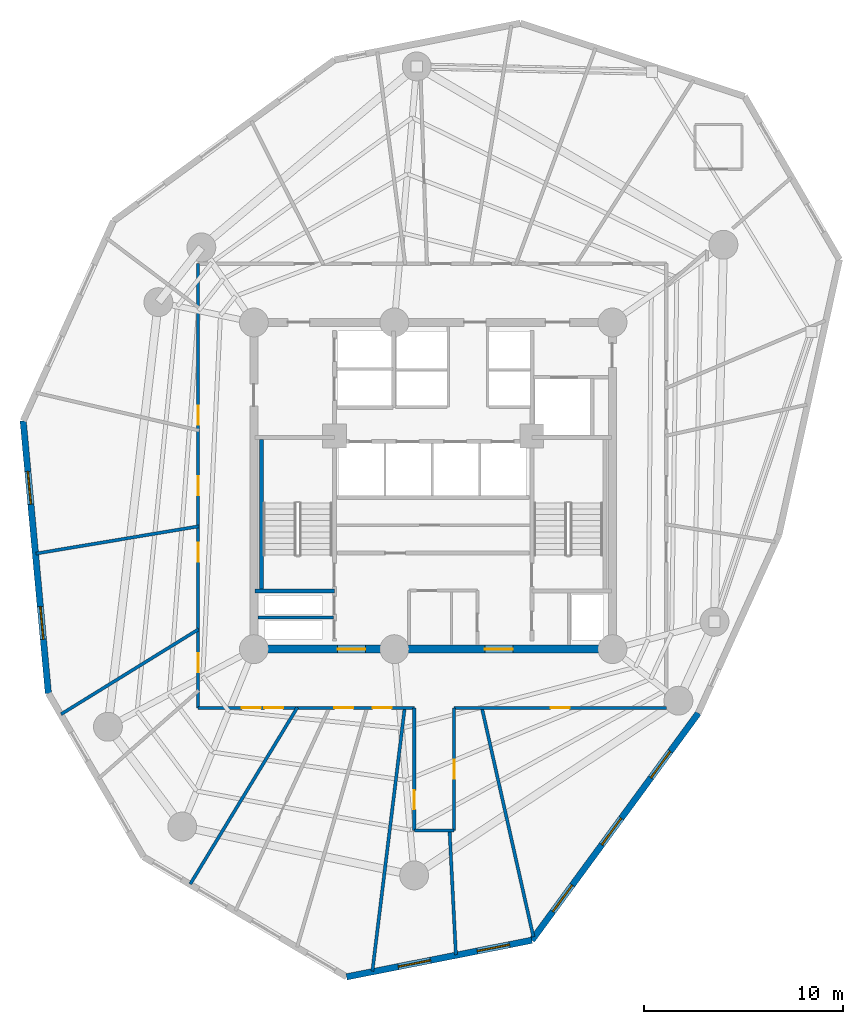
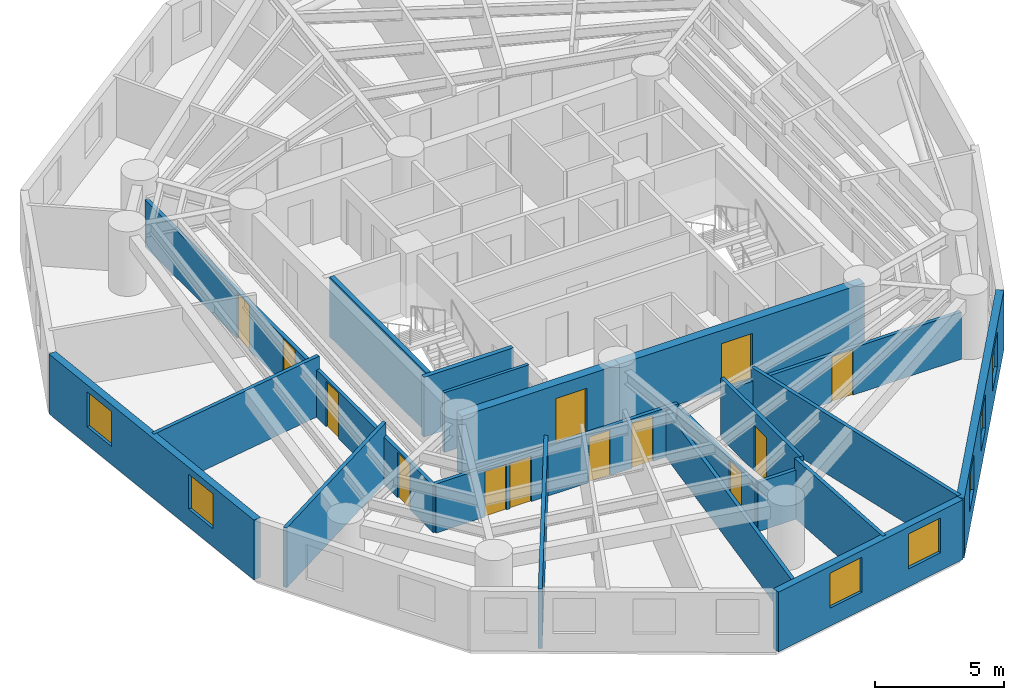
# One storey, part 3 of 8: 20 walls, 13 doors, 7 windows, 20 openings.
"""IFC4 building model written with IfcOpenShell, lengths in metres."""

import ifcopenshell
import ifcopenshell.guid

model = None  # the IFC model being written
_history = None  # IfcOwnerHistory: only IFC2X3 demands one
_inside = {}  # id of a spatial element -> (the spatial element, [elements in it])
_under = {}  # id of a project, library or spatial element -> (it, [spatial elements below it])
_declared = {}  # id of a project -> (the project, [libraries it declares])
_typed = {}  # id of a type object -> (the type object, [elements of that type])
_made_of = {}  # id of a material, layer set ... -> (it, [elements and type objects made of it])


def new_model(schema):
    """Start an empty IFC model of exactly this schema.

    Asked for "IFC4X3", IfcOpenShell would pick the latest addendum, in which some entities
    have other attributes; the version numbers below select the first issue.
    IFC2X3 requires an IfcOwnerHistory on every rooted entity: one is made here for all.
    """
    global model, _history
    if schema == "IFC4X3":
        model = ifcopenshell.file(schema_version=(4, 3, 0, 0))
    else:
        model = ifcopenshell.file(schema=schema)
    _inside.clear()
    _under.clear()
    _declared.clear()
    _typed.clear()
    _made_of.clear()
    _history = None
    if model.schema == "IFC2X3":
        org = make("IfcOrganization", Name="unknown")
        user = make(
            "IfcPersonAndOrganization",
            ThePerson=make("IfcPerson", FamilyName="unknown"),
            TheOrganization=org,
        )
        app = make(
            "IfcApplication",
            ApplicationDeveloper=org,
            Version="unknown",
            ApplicationFullName="unknown",
            ApplicationIdentifier="unknown",
        )
        _history = make(
            "IfcOwnerHistory",
            OwningUser=user,
            OwningApplication=app,
            ChangeAction="ADDED",
            CreationDate=0,
        )
    return model


def make(cls, **values):
    """One entity of the class cls with the attributes given. An attribute that is None is left unset."""
    return model.create_entity(
        cls, **{name: value for name, value in values.items() if value is not None}
    )


def rooted(cls, **values):
    """An entity with a GlobalId (a new one), such as an element, a storey or a relation."""
    return make(cls, GlobalId=ifcopenshell.guid.new(), OwnerHistory=_history, **values)


def si_unit(unit_type, name, prefix=None):
    """IfcSIUnit, for example si_unit("LENGTHUNIT", "METRE", prefix="MILLI")."""
    return make("IfcSIUnit", UnitType=unit_type, Prefix=prefix, Name=name)


def assignment(units):
    """IfcUnitAssignment: the units of a project."""
    return None if units is None else make("IfcUnitAssignment", Units=units)


def point(xyz):
    """IfcCartesianPoint."""
    return None if xyz is None else make("IfcCartesianPoint", Coordinates=xyz)


def direction(xyz):
    """IfcDirection."""
    return None if xyz is None else make("IfcDirection", DirectionRatios=xyz)


def frame(location, z_axis=None, x_axis=None):
    """IfcAxis2Placement3D, a coordinate frame: its origin and axes. An axis left out is left unset."""
    return make(
        "IfcAxis2Placement3D",
        Location=point(location),
        Axis=direction(z_axis),
        RefDirection=direction(x_axis),
    )


def frame_2d(location, x_axis=None):
    """IfcAxis2Placement2D, a coordinate frame in the plane: its origin and x axis."""
    return make(
        "IfcAxis2Placement2D", Location=point(location), RefDirection=direction(x_axis)
    )


def origin():
    """The frame at (0, 0, 0) with its axes left unset."""
    return frame((0.0, 0.0, 0.0))


def origin_with_axes():
    """The frame at (0, 0, 0) with the z axis (0, 0, 1) and the x axis (1, 0, 0) written out."""
    return frame((0.0, 0.0, 0.0), z_axis=(0.0, 0.0, 1.0), x_axis=(1.0, 0.0, 0.0))


def place(relative_to, where):
    """IfcLocalPlacement: puts the frame where relative to a parent placement (None: the world)."""
    return make(
        "IfcLocalPlacement", PlacementRelTo=relative_to, RelativePlacement=where
    )


def context(
    kind, dimensions, precision=None, world=None, true_north=None, identifier=None
):
    """IfcGeometricRepresentationContext, for example the 3D "Model" context."""
    return make(
        "IfcGeometricRepresentationContext",
        ContextIdentifier=identifier,
        ContextType=kind,
        CoordinateSpaceDimension=dimensions,
        Precision=precision,
        WorldCoordinateSystem=world,
        TrueNorth=true_north,
    )


def subcontext(parent, identifier, kind, view, scale=None):
    """IfcGeometricRepresentationSubContext, for example "Body" below "Model"."""
    return make(
        "IfcGeometricRepresentationSubContext",
        ContextIdentifier=identifier,
        ContextType=kind,
        ParentContext=parent,
        TargetScale=scale,
        TargetView=view,
    )


def project(units=None, contexts=None):
    """IfcProject with its units and contexts."""
    return rooted(
        "IfcProject",
        Name="project",
        RepresentationContexts=contexts,
        UnitsInContext=assignment(units),
    )


def spatial(cls, under=None, at=None, **own):
    """A site, building, storey or space (cls), placed at a placement, below another one or the project."""
    s = rooted(cls, ObjectPlacement=at, **own)
    if under is not None:
        _under.setdefault(under.id(), (under, []))[1].append(s)
    return s


def profile(cls, at=None, kind="AREA", **sizes):
    """A parametric profile (cls). Its sizes go by their IFC names, for example OverallWidth=200.0."""
    return make(cls, ProfileType=kind, Position=at, **sizes)


def rectangle(**sizes):
    """IfcRectangleProfileDef."""
    return profile("IfcRectangleProfileDef", **sizes)


def extrude(swept, where, along, depth):
    """IfcExtrudedAreaSolid: the profile swept, set in the frame where, extruded along a direction by depth."""
    return make(
        "IfcExtrudedAreaSolid",
        SweptArea=swept,
        Position=where,
        ExtrudedDirection=direction(along),
        Depth=depth,
    )


def shape(context_of_items, identifier, shape_type, items):
    """IfcShapeRepresentation: the items that make up one representation, for example the "Body"."""
    return make(
        "IfcShapeRepresentation",
        ContextOfItems=context_of_items,
        RepresentationIdentifier=identifier,
        RepresentationType=shape_type,
        Items=items,
    )


def source(mapping_origin, context_of_items, identifier, shape_type, items):
    """IfcRepresentationMap: a shape defined once, which mapped items show again and again."""
    return make(
        "IfcRepresentationMap",
        MappingOrigin=mapping_origin,
        MappedRepresentation=shape(context_of_items, identifier, shape_type, items),
    )


def transform(
    local_origin,
    x_axis=None,
    y_axis=None,
    z_axis=None,
    scale=None,
    scale2=None,
    scale3=None,
    uniform=True,
):
    """IfcCartesianTransformationOperator3D, or its non-uniform kind. x_axis, y_axis, z_axis: its Axis1, 2, 3."""
    if uniform:
        return make(
            "IfcCartesianTransformationOperator3D",
            Axis1=direction(x_axis),
            Axis2=direction(y_axis),
            LocalOrigin=point(local_origin),
            Scale=scale,
            Axis3=direction(z_axis),
        )
    return make(
        "IfcCartesianTransformationOperator3DnonUniform",
        Axis1=direction(x_axis),
        Axis2=direction(y_axis),
        LocalOrigin=point(local_origin),
        Scale=scale,
        Axis3=direction(z_axis),
        Scale2=scale2,
        Scale3=scale3,
    )


def mapped(mapping_source, mapping_target):
    """IfcMappedItem: shows the shape of a source again, moved by a transform."""
    return make(
        "IfcMappedItem", MappingSource=mapping_source, MappingTarget=mapping_target
    )


def material(Name=None, Category=None):
    """IfcMaterial."""
    return make("IfcMaterial", Name=Name, Category=Category)


def layer(
    of_material, thickness, ventilated=None, Name=None, Category=None, Priority=None
):
    """IfcMaterialLayer: one layer of a wall or slab, of a material (None: an air gap)."""
    return make(
        "IfcMaterialLayer",
        Material=of_material,
        LayerThickness=thickness,
        IsVentilated=ventilated,
        Name=Name,
        Category=Category,
        Priority=Priority,
    )


def layer_set(layers, Name=None):
    """IfcMaterialLayerSet."""
    return make("IfcMaterialLayerSet", MaterialLayers=layers, LayerSetName=Name)


def made_of(thing, what):
    """Note that an element or type object is made of a material, layer set ...; save() writes the relation."""
    if what is not None:
        _made_of.setdefault(what.id(), (what, []))[1].append(thing)
    return thing


def type_object(cls, material=None, **own):
    """A type object (cls), such as IfcWallType, which elements share."""
    return made_of(rooted(cls, **own), material)


def element(
    cls,
    number,
    at=None,
    inside=None,
    cuts=None,
    type_object=None,
    material=None,
    context=None,
    identifier="Body",
    shape_type=None,
    held_by="IfcProductDefinitionShape",
    body=None,
    shapes=None,
    **own,
):
    """One element of the class cls, such as IfcWall. Its Tag is "e" and its number.

    at: its placement. inside: the storey or other place that contains it. cuts: it is an
    opening in that element (IfcRelVoidsElement). A single representation is given by context,
    identifier, shape_type and body (its items); several are given by shapes. held_by: the class
    of the entity that holds the representations. save() writes the other relations.
    """
    e = rooted(cls, Tag="e%d" % number, ObjectPlacement=at, **own)
    if body is not None:
        shapes = [shape(context, identifier, shape_type, body)]
    if shapes is not None:
        e.Representation = make(held_by, Representations=shapes)
    if inside is not None:
        _inside.setdefault(inside.id(), (inside, []))[1].append(e)
    if cuts is not None:
        rooted(
            "IfcRelVoidsElement", RelatingBuildingElement=cuts, RelatedOpeningElement=e
        )
    if type_object is not None:
        _typed.setdefault(type_object.id(), (type_object, []))[1].append(e)
    return made_of(e, material)


def fill(opening, filler):
    """IfcRelFillsElement: the door or window that sits in an opening."""
    return rooted(
        "IfcRelFillsElement",
        RelatingOpeningElement=opening,
        RelatedBuildingElement=filler,
    )


def aggregate(whole, parts):
    """IfcRelAggregates: a whole, such as a stair, and the parts it consists of."""
    return rooted("IfcRelAggregates", RelatingObject=whole, RelatedObjects=parts)


def save(model, path):
    """Write the relations noted so far, then the file.

    IfcRelAggregates (storeys below a building ...), IfcRelContainedInSpatialStructure (elements
    in a storey), IfcRelDefinesByType, IfcRelAssociatesMaterial and IfcRelDeclares: one each for
    every whole, place, type object, material and project.
    """
    for whole, parts in _under.values():
        aggregate(whole, parts)
    for where, things in _inside.values():
        rooted(
            "IfcRelContainedInSpatialStructure",
            RelatedElements=things,
            RelatingStructure=where,
        )
    for kind, things in _typed.values():
        rooted("IfcRelDefinesByType", RelatedObjects=things, RelatingType=kind)
    for what, things in _made_of.values():
        rooted("IfcRelAssociatesMaterial", RelatedObjects=things, RelatingMaterial=what)
    for by, libraries in _declared.values():
        rooted("IfcRelDeclares", RelatingContext=by, RelatedDefinitions=libraries)
    model.write(path)


model = new_model("IFC4")

# Units and contexts
model_context = context("Model", 3, precision=1e-05, world=origin(), true_north=direction((0.0, 1.0)))
body_context = subcontext(model_context, "Body", "Model", "MODEL_VIEW")
ifc_project = project(units=[si_unit("LENGTHUNIT", "METRE"), si_unit("AREAUNIT", "SQUARE_METRE"), si_unit("VOLUMEUNIT", "CUBIC_METRE"), si_unit("PLANEANGLEUNIT", "RADIAN"), si_unit("MASSUNIT", "GRAM", prefix="KILO")], contexts=[model_context])

# Site, building, storey
site_placement = place(None, origin())
site = spatial("IfcSite", under=ifc_project, at=site_placement, CompositionType="ELEMENT")
building_placement = place(site_placement, origin())
building = spatial("IfcBuilding", under=site, at=building_placement, Name="Karkom Vertical University and Central Library", CompositionType="ELEMENT")
storey_placement = place(building_placement, frame((0.0, 0.0, 126.699951171875)))
storey = spatial("IfcBuildingStorey", under=building, at=storey_placement, Name="L35", CompositionType="ELEMENT", Elevation=126.699951171875)

# Wall, openings, windows
ifc_material_1 = material(Name="Brick-faced precast concrete C45/55", Category="masonry")
ifc_layer_1 = layer(ifc_material_1, 0.320068359375)
ifc_layer_set_1 = layer_set([ifc_layer_1], Name="Brick-faced precast concrete C45/55")
wall_type_1 = type_object("IfcWallType", Name="ENV-WL-BRK-320", PredefinedType="SOLIDWALL", material=ifc_layer_set_1)
wall_1_placement = place(storey_placement, frame((7.9189453125, 29.76123046875, 0.0), z_axis=(0.0, 0.0, 1.0), x_axis=(0.092049751745, -0.995754409081, 0.0)))
wall_1 = element("IfcWall", 1, at=wall_1_placement, inside=storey, type_object=wall_type_1, Name="Level 35 Brick-Faced Precast Facade Wall 02", PredefinedType="SOLIDWALL", context=body_context, shape_type="SweptSolid", body=[
    extrude(rectangle(XDim=13.73876953125, YDim=0.320068359375, at=frame_2d((6.869384765625, 0.0))), origin(), (0.0, 0.0, 1.0), 2.824951171875),
])
opening_1_placement = place(wall_1_placement, frame((2.55126953125, 0.0, 0.85009765625)))
opening_1 = element("IfcOpeningElement", 2, at=opening_1_placement, cuts=wall_1, Name="Opening WN-06", PredefinedType="OPENING", context=body_context, shape_type="SweptSolid", body=[
    extrude(rectangle(XDim=1.64990234375, YDim=1.64990234375, at=frame_2d((0.824951171875, 0.824951171875))), frame((0.0, 0.169921875, 0.0), z_axis=(0.0, -1.0, 0.0), x_axis=(1.0, 0.0, 0.0)), (0.0, 0.0, 1.0), 0.340087890625),
])
opening_2_placement = place(wall_1_placement, frame((9.360595703125, 0.0, 0.85009765625)))
opening_2 = element("IfcOpeningElement", 3, at=opening_2_placement, cuts=wall_1, Name="Opening WN-06", PredefinedType="OPENING", context=body_context, shape_type="SweptSolid", body=[
    extrude(rectangle(XDim=1.64990234375, YDim=1.64990234375, at=frame_2d((0.824951171875, 0.824951171875))), frame((0.0, 0.169921875, 0.0), z_axis=(0.0, -1.0, 0.0), x_axis=(1.0, 0.0, 0.0)), (0.0, 0.0, 1.0), 0.340087890625),
])
ifc_material_2 = material(Name="Aluminium thermal-break frame with solar-control IGU", Category="aluminium")
window_type = type_object("IfcWindowType", Name="ENV-WIN-WN-06", PartitioningType="SINGLE_PANEL", PredefinedType="WINDOW", material=ifc_material_2)
shared_shape_1 = source(origin_with_axes(), body_context, "Body", "SweptSolid", [
    extrude(rectangle(XDim=1.64990234375, YDim=1.64990234375, at=frame_2d((0.824951171875, 0.824951171875))), frame((0.0, 0.030029296875, 0.0), z_axis=(0.0, -1.0, 0.0), x_axis=(1.0, 0.0, 0.0)), (0.0, 0.0, 1.0), 0.06005859375),
])
window_1_placement = place(opening_1_placement, origin())
window_1 = element("IfcWindow", 4, at=window_1_placement, inside=storey, type_object=window_type, Name="Level 35 Punched Window 2.1", OverallHeight=1.64990234375, OverallWidth=1.64990234375, PartitioningType="SINGLE_PANEL", PredefinedType="WINDOW", context=body_context, shape_type="MappedRepresentation", body=[
    mapped(shared_shape_1, transform((0.0, 0.0, 0.0), scale=1.0)),
])
fill(opening_1, window_1)
window_2_placement = place(opening_2_placement, origin())
window_2 = element("IfcWindow", 5, at=window_2_placement, inside=storey, type_object=window_type, Name="Level 35 Punched Window 2.2", OverallHeight=1.64990234375, OverallWidth=1.64990234375, PartitioningType="SINGLE_PANEL", PredefinedType="WINDOW", context=body_context, shape_type="MappedRepresentation", body=[
    mapped(shared_shape_1, transform((0.0, 0.0, 0.0), scale=1.0)),
])
fill(opening_2, window_2)

wall_2_placement = place(storey_placement, frame((24.15283203125, 1.85009765625, 0.0), z_axis=(0.0, 0.0, 1.0), x_axis=(0.981037636035, 0.19381732813, 0.0)))
wall_2 = element("IfcWall", 6, at=wall_2_placement, inside=storey, type_object=wall_type_1, Name="Level 35 Brick-Faced Precast Facade Wall 05", PredefinedType="SOLIDWALL", context=body_context, shape_type="SweptSolid", body=[
    extrude(rectangle(XDim=9.478759765625, YDim=0.320068359375, at=frame_2d((4.7392578125, 0.0))), origin(), (0.0, 0.0, 1.0), 2.824951171875),
])
opening_3_placement = place(wall_2_placement, frame((2.645263671875, 0.0, 0.85009765625)))
opening_3 = element("IfcOpeningElement", 7, at=opening_3_placement, cuts=wall_2, Name="Opening WN-06", PredefinedType="OPENING", context=body_context, shape_type="SweptSolid", body=[
    extrude(rectangle(XDim=1.64990234375, YDim=1.64990234375, at=frame_2d((0.824951171875, 0.824951171875))), frame((0.0, 0.169921875, 0.0), z_axis=(0.0, -1.0, 0.0), x_axis=(1.0, 0.0, 0.0)), (0.0, 0.0, 1.0), 0.340087890625),
])
opening_4_placement = place(wall_2_placement, frame((6.686279296875, 0.0, 0.85009765625)))
opening_4 = element("IfcOpeningElement", 8, at=opening_4_placement, cuts=wall_2, Name="Opening WN-06", PredefinedType="OPENING", context=body_context, shape_type="SweptSolid", body=[
    extrude(rectangle(XDim=1.64990234375, YDim=1.64990234375, at=frame_2d((0.824951171875, 0.824951171875))), frame((0.0, 0.169921875, 0.0), z_axis=(0.0, -1.0, 0.0), x_axis=(1.0, 0.0, 0.0)), (0.0, 0.0, 1.0), 0.340087890625),
])
window_3_placement = place(opening_3_placement, origin())
window_3 = element("IfcWindow", 9, at=window_3_placement, inside=storey, type_object=window_type, Name="Level 35 Punched Window 5.1", OverallHeight=1.64990234375, OverallWidth=1.64990234375, PartitioningType="SINGLE_PANEL", PredefinedType="WINDOW", context=body_context, shape_type="MappedRepresentation", body=[
    mapped(shared_shape_1, transform((0.0, 0.0, 0.0), scale=1.0)),
])
fill(opening_3, window_3)
window_4_placement = place(opening_4_placement, origin())
window_4 = element("IfcWindow", 10, at=window_4_placement, inside=storey, type_object=window_type, Name="Level 35 Punched Window 5.2", OverallHeight=1.64990234375, OverallWidth=1.64990234375, PartitioningType="SINGLE_PANEL", PredefinedType="WINDOW", context=body_context, shape_type="MappedRepresentation", body=[
    mapped(shared_shape_1, transform((0.0, 0.0, 0.0), scale=1.0)),
])
fill(opening_4, window_4)

wall_3_placement = place(storey_placement, frame((33.451904296875, 3.687255859375, 0.0), z_axis=(0.0, 0.0, 1.0), x_axis=(0.5911787596, 0.806540559549, 0.0)))
wall_3 = element("IfcWall", 11, at=wall_3_placement, inside=storey, type_object=wall_type_1, Name="Level 35 Brick-Faced Precast Facade Wall 06", PredefinedType="SOLIDWALL", context=body_context, shape_type="SweptSolid", body=[
    extrude(rectangle(XDim=14.1396484375, YDim=0.320068359375, at=frame_2d((7.06982421875, 0.0))), origin(), (0.0, 0.0, 1.0), 2.824951171875),
])
opening_5_placement = place(wall_3_placement, frame((1.785400390625, 0.0, 0.85009765625)))
opening_5 = element("IfcOpeningElement", 12, at=opening_5_placement, cuts=wall_3, Name="Opening WN-06", PredefinedType="OPENING", context=body_context, shape_type="SweptSolid", body=[
    extrude(rectangle(XDim=1.64990234375, YDim=1.64990234375, at=frame_2d((0.824951171875, 0.824951171875))), frame((0.0, 0.169921875, 0.0), z_axis=(0.0, -1.0, 0.0), x_axis=(1.0, 0.0, 0.0)), (0.0, 0.0, 1.0), 0.340087890625),
])
opening_6_placement = place(wall_3_placement, frame((5.94921875, 0.0, 0.85009765625)))
opening_6 = element("IfcOpeningElement", 13, at=opening_6_placement, cuts=wall_3, Name="Opening WN-06", PredefinedType="OPENING", context=body_context, shape_type="SweptSolid", body=[
    extrude(rectangle(XDim=1.64990234375, YDim=1.64990234375, at=frame_2d((0.824951171875, 0.824951171875))), frame((0.0, 0.169921875, 0.0), z_axis=(0.0, -1.0, 0.0), x_axis=(1.0, 0.0, 0.0)), (0.0, 0.0, 1.0), 0.340087890625),
])
opening_7_placement = place(wall_3_placement, frame((10.113037109375, 0.0, 0.85009765625)))
opening_7 = element("IfcOpeningElement", 14, at=opening_7_placement, cuts=wall_3, Name="Opening WN-06", PredefinedType="OPENING", context=body_context, shape_type="SweptSolid", body=[
    extrude(rectangle(XDim=1.64990234375, YDim=1.64990234375, at=frame_2d((0.824951171875, 0.824951171875))), frame((0.0, 0.169921875, 0.0), z_axis=(0.0, -1.0, 0.0), x_axis=(1.0, 0.0, 0.0)), (0.0, 0.0, 1.0), 0.340087890625),
])
window_5_placement = place(opening_5_placement, origin())
window_5 = element("IfcWindow", 15, at=window_5_placement, inside=storey, type_object=window_type, Name="Level 35 Punched Window 6.1", OverallHeight=1.64990234375, OverallWidth=1.64990234375, PartitioningType="SINGLE_PANEL", PredefinedType="WINDOW", context=body_context, shape_type="MappedRepresentation", body=[
    mapped(shared_shape_1, transform((0.0, 0.0, 0.0), scale=1.0)),
])
fill(opening_5, window_5)
window_6_placement = place(opening_6_placement, origin())
window_6 = element("IfcWindow", 16, at=window_6_placement, inside=storey, type_object=window_type, Name="Level 35 Punched Window 6.2", OverallHeight=1.64990234375, OverallWidth=1.64990234375, PartitioningType="SINGLE_PANEL", PredefinedType="WINDOW", context=body_context, shape_type="MappedRepresentation", body=[
    mapped(shared_shape_1, transform((0.0, 0.0, 0.0), scale=1.0)),
])
fill(opening_6, window_6)
window_7_placement = place(opening_7_placement, origin())
window_7 = element("IfcWindow", 17, at=window_7_placement, inside=storey, type_object=window_type, Name="Level 35 Punched Window 6.3", OverallHeight=1.64990234375, OverallWidth=1.64990234375, PartitioningType="SINGLE_PANEL", PredefinedType="WINDOW", context=body_context, shape_type="MappedRepresentation", body=[
    mapped(shared_shape_1, transform((0.0, 0.0, 0.0), scale=1.0)),
])
fill(opening_7, window_7)

# Wall, openings, doors
ifc_material_3 = material(Name="Insulated metal-stud drywall 160mm", Category="gypsum")
ifc_layer_2 = layer(ifc_material_3, 0.159912109375)
ifc_layer_set_2 = layer_set([ifc_layer_2], Name="Insulated metal-stud drywall 160mm")
wall_type_2 = type_object("IfcWallType", Name="INT-WL-COR-160", PredefinedType="PARTITIONING", material=ifc_layer_set_2)
wall_4_placement = place(storey_placement, frame((16.699951171875, 15.35009765625, 0.0), z_axis=(0.0, 0.0, 1.0), x_axis=(0.0, 1.0, 0.0)))
wall_4 = element("IfcWall", 18, at=wall_4_placement, inside=storey, type_object=wall_type_2, Name="Level 35 Interior Partition Wall L35-CORW-CW-002", PredefinedType="PARTITIONING", context=body_context, shape_type="SweptSolid", body=[
    extrude(rectangle(XDim=22.2998046875, YDim=0.159912109375, at=frame_2d((11.14990234375, 0.0))), origin(), (0.0, 0.0, 1.0), 2.22509765625),
])
opening_8_placement = place(wall_4_placement, frame((7.330078125, 0.0, 0.0)))
opening_8 = element("IfcOpeningElement", 19, at=opening_8_placement, cuts=wall_4, Name="Opening D-RM1", PredefinedType="OPENING", context=body_context, shape_type="SweptSolid", body=[
    extrude(rectangle(XDim=0.949951171875, YDim=2.14990234375, at=frame_2d((0.47509765625, 1.074951171875))), frame((0.0, 0.08984375, 0.0), z_axis=(0.0, -1.0, 0.0), x_axis=(1.0, 0.0, 0.0)), (0.0, 0.0, 1.0), 0.179931640625),
])
opening_9_placement = place(wall_4_placement, frame((1.78662109375, 0.0, 0.0)))
opening_9 = element("IfcOpeningElement", 20, at=opening_9_placement, cuts=wall_4, Name="Opening FD-RM2", PredefinedType="OPENING", context=body_context, shape_type="SweptSolid", body=[
    extrude(rectangle(XDim=0.9599609375, YDim=2.14990234375, at=frame_2d((0.47998046875, 1.074951171875))), frame((0.0, 0.08984375, 0.0), z_axis=(0.0, -1.0, 0.0), x_axis=(1.0, 0.0, 0.0)), (0.0, 0.0, 1.0), 0.179931640625),
])
opening_10_placement = place(wall_4_placement, frame((14.2099609375, 0.0, 0.0)))
opening_10 = element("IfcOpeningElement", 21, at=opening_10_placement, cuts=wall_4, Name="Opening D-RM1", PredefinedType="OPENING", context=body_context, shape_type="SweptSolid", body=[
    extrude(rectangle(XDim=0.949951171875, YDim=2.14990234375, at=frame_2d((0.47509765625, 1.074951171875))), frame((0.0, 0.08984375, 0.0), z_axis=(0.0, -1.0, 0.0), x_axis=(1.0, 0.0, 0.0)), (0.0, 0.0, 1.0), 0.179931640625),
])
opening_11_placement = place(wall_4_placement, frame((10.675048828125, 0.0, 0.0)))
opening_11 = element("IfcOpeningElement", 22, at=opening_11_placement, cuts=wall_4, Name="Opening D-RM1", PredefinedType="OPENING", context=body_context, shape_type="SweptSolid", body=[
    extrude(rectangle(XDim=0.949951171875, YDim=2.14990234375, at=frame_2d((0.47509765625, 1.074951171875))), frame((0.0, 0.08984375, 0.0), z_axis=(0.0, -1.0, 0.0), x_axis=(1.0, 0.0, 0.0)), (0.0, 0.0, 1.0), 0.179931640625),
])
ifc_material_4 = material(Name="Fire-rated oak veneer door", Category="wood")
door_type_1 = type_object("IfcDoorType", Name="INT-DR-FRM2", OperationType="NOTDEFINED", PredefinedType="DOOR", material=ifc_material_4)
shared_shape_2 = source(origin_with_axes(), body_context, "Body", "SweptSolid", [
    extrude(rectangle(XDim=0.9599609375, YDim=2.14990234375, at=frame_2d((0.47998046875, 1.074951171875))), frame((0.0, 0.02490234375, 0.0), z_axis=(0.0, -1.0, 0.0), x_axis=(1.0, 0.0, 0.0)), (0.0, 0.0, 1.0), 0.050048828125),
])
door_1_placement = place(opening_9_placement, origin())
door_1 = element("IfcDoor", 23, at=door_1_placement, inside=storey, type_object=door_type_1, Name="Level 35 Room Entry Door 010", OperationType="SINGLE_SWING_LEFT", OverallHeight=2.14990234375, OverallWidth=0.9599609375, PredefinedType="DOOR", context=body_context, shape_type="MappedRepresentation", body=[
    mapped(shared_shape_2, transform((0.0, 0.0, 0.0), scale=1.0)),
])
fill(opening_9, door_1)
ifc_material_5 = material(Name="Solid-core oak veneer door", Category="wood")
door_type_2 = type_object("IfcDoorType", Name="INT-DR-RM1", OperationType="NOTDEFINED", PredefinedType="DOOR", material=ifc_material_5)
shared_shape_3 = source(origin_with_axes(), body_context, "Body", "SweptSolid", [
    extrude(rectangle(XDim=0.949951171875, YDim=2.14990234375, at=frame_2d((0.47509765625, 1.074951171875))), frame((0.0, 0.02490234375, 0.0), z_axis=(0.0, -1.0, 0.0), x_axis=(1.0, 0.0, 0.0)), (0.0, 0.0, 1.0), 0.050048828125),
])
door_2_placement = place(opening_8_placement, origin())
door_2 = element("IfcDoor", 24, at=door_2_placement, inside=storey, type_object=door_type_2, Name="Level 35 Room Entry Door 000", OperationType="SINGLE_SWING_RIGHT", OverallHeight=2.14990234375, OverallWidth=0.949951171875, PredefinedType="DOOR", context=body_context, shape_type="MappedRepresentation", body=[
    mapped(shared_shape_3, transform((0.0, 0.0, 0.0), scale=1.0)),
])
fill(opening_8, door_2)
door_3_placement = place(opening_10_placement, origin())
door_3 = element("IfcDoor", 25, at=door_3_placement, inside=storey, type_object=door_type_2, Name="Level 35 Room Entry Door 200", OperationType="SINGLE_SWING_LEFT", OverallHeight=2.14990234375, OverallWidth=0.949951171875, PredefinedType="DOOR", context=body_context, shape_type="MappedRepresentation", body=[
    mapped(shared_shape_3, transform((0.0, 0.0, 0.0), scale=1.0)),
])
fill(opening_10, door_3)
door_4_placement = place(opening_11_placement, origin())
door_4 = element("IfcDoor", 26, at=door_4_placement, inside=storey, type_object=door_type_2, Name="Level 35 Room Entry Door 210", OperationType="SINGLE_SWING_RIGHT", OverallHeight=2.14990234375, OverallWidth=0.949951171875, PredefinedType="DOOR", context=body_context, shape_type="MappedRepresentation", body=[
    mapped(shared_shape_3, transform((0.0, 0.0, 0.0), scale=1.0)),
])
fill(opening_11, door_4)

# Walls
wall_5_placement = place(storey_placement, frame((27.07421875, 15.3798828125, 0.0), z_axis=(0.0, 0.0, 1.0), x_axis=(-0.121863792231, -0.992546833224, 0.0)))
element("IfcWall", 27, at=wall_5_placement, inside=storey, type_object=wall_type_2, Name="Level 35 Interior Partition Wall L35-PW-007", PredefinedType="PARTITIONING", context=body_context, shape_type="SweptSolid", body=[
    extrude(rectangle(XDim=13.344482421875, YDim=0.159912109375, at=frame_2d((6.67236328125, 0.0))), origin(), (0.0, 0.0, 1.0), 2.22509765625),
])
wall_6_placement = place(storey_placement, frame((30.93896484375, 15.37939453125, 0.0), z_axis=(0.0, 0.0, 1.0), x_axis=(0.219373424083, -0.975640969213, 0.0)))
element("IfcWall", 28, at=wall_6_placement, inside=storey, type_object=wall_type_2, Name="Level 35 Interior Partition Wall L35-PW-009", PredefinedType="PARTITIONING", context=body_context, shape_type="SweptSolid", body=[
    extrude(rectangle(XDim=11.8056640625, YDim=0.159912109375, at=frame_2d((5.90283203125, 0.0))), origin(), (0.0, 0.0, 1.0), 2.824951171875),
])

# Wall, openings, doors
wall_7_placement = place(storey_placement, frame((27.550048828125, 15.35009765625, 0.0), z_axis=(0.0, 0.0, 1.0), x_axis=(-1.0, 0.0, 0.0)))
wall_7 = element("IfcWall", 29, at=wall_7_placement, inside=storey, type_object=wall_type_2, Name="Level 35 Interior Partition Wall L35-CORW-CW-001", PredefinedType="PARTITIONING", context=body_context, shape_type="SweptSolid", body=[
    extrude(rectangle(XDim=10.85009765625, YDim=0.159912109375, at=frame_2d((5.425048828125, 0.0))), origin(), (0.0, 0.0, 1.0), 2.324951171875),
])
opening_12_placement = place(wall_7_placement, frame((6.577392578125, 0.0, 0.0)))
opening_12 = element("IfcOpeningElement", 30, at=opening_12_placement, cuts=wall_7, Name="Opening D-RM1", PredefinedType="OPENING", context=body_context, shape_type="SweptSolid", body=[
    extrude(rectangle(XDim=0.949951171875, YDim=2.14990234375, at=frame_2d((0.47509765625, 1.074951171875))), frame((0.0, 0.08984375, 0.0), z_axis=(0.0, -1.0, 0.0), x_axis=(1.0, 0.0, 0.0)), (0.0, 0.0, 1.0), 0.179931640625),
])
opening_13_placement = place(wall_7_placement, frame((3.06005859375, 0.0, 0.0)))
opening_13 = element("IfcOpeningElement", 31, at=opening_13_placement, cuts=wall_7, Name="Opening D-RM1", PredefinedType="OPENING", context=body_context, shape_type="SweptSolid", body=[
    extrude(rectangle(XDim=0.949951171875, YDim=2.14990234375, at=frame_2d((0.47509765625, 1.074951171875))), frame((0.0, 0.08984375, 0.0), z_axis=(0.0, -1.0, 0.0), x_axis=(1.0, 0.0, 0.0)), (0.0, 0.0, 1.0), 0.179931640625),
])
opening_14_placement = place(wall_7_placement, frame((1.132568359375, 0.0, 0.0)))
opening_14 = element("IfcOpeningElement", 32, at=opening_14_placement, cuts=wall_7, Name="Opening FD-RM2", PredefinedType="OPENING", context=body_context, shape_type="SweptSolid", body=[
    extrude(rectangle(XDim=0.9599609375, YDim=2.14990234375, at=frame_2d((0.47998046875, 1.074951171875))), frame((0.0, 0.08984375, 0.0), z_axis=(0.0, -1.0, 0.0), x_axis=(1.0, 0.0, 0.0)), (0.0, 0.0, 1.0), 0.179931640625),
])
opening_15_placement = place(wall_7_placement, frame((7.694580078125, 0.0, 0.0)))
opening_15 = element("IfcOpeningElement", 33, at=opening_15_placement, cuts=wall_7, Name="Opening FD-RM2", PredefinedType="OPENING", context=body_context, shape_type="SweptSolid", body=[
    extrude(rectangle(XDim=0.9599609375, YDim=2.14990234375, at=frame_2d((0.47998046875, 1.074951171875))), frame((0.0, 0.08984375, 0.0), z_axis=(0.0, -1.0, 0.0), x_axis=(1.0, 0.0, 0.0)), (0.0, 0.0, 1.0), 0.179931640625),
])
door_5_placement = place(opening_14_placement, origin())
door_5 = element("IfcDoor", 34, at=door_5_placement, inside=storey, type_object=door_type_1, Name="Level 35 Room Entry Door 040", OperationType="SINGLE_SWING_RIGHT", OverallHeight=2.14990234375, OverallWidth=0.9599609375, PredefinedType="DOOR", context=body_context, shape_type="MappedRepresentation", body=[
    mapped(shared_shape_2, transform((0.0, 0.0, 0.0), scale=1.0)),
])
fill(opening_14, door_5)
door_6_placement = place(opening_15_placement, origin())
door_6 = element("IfcDoor", 35, at=door_6_placement, inside=storey, type_object=door_type_1, Name="Level 35 Room Entry Door 050", OperationType="SINGLE_SWING_LEFT", OverallHeight=2.14990234375, OverallWidth=0.9599609375, PredefinedType="DOOR", context=body_context, shape_type="MappedRepresentation", body=[
    mapped(shared_shape_2, transform((0.0, 0.0, 0.0), scale=1.0)),
])
fill(opening_15, door_6)
door_7_placement = place(opening_12_placement, origin())
door_7 = element("IfcDoor", 36, at=door_7_placement, inside=storey, type_object=door_type_2, Name="Level 35 Room Entry Door 020", OperationType="SINGLE_SWING_RIGHT", OverallHeight=2.14990234375, OverallWidth=0.949951171875, PredefinedType="DOOR", context=body_context, shape_type="MappedRepresentation", body=[
    mapped(shared_shape_3, transform((0.0, 0.0, 0.0), scale=1.0)),
])
fill(opening_12, door_7)
door_8_placement = place(opening_13_placement, origin())
door_8 = element("IfcDoor", 37, at=door_8_placement, inside=storey, type_object=door_type_2, Name="Level 35 Room Entry Door 030", OperationType="SINGLE_SWING_LEFT", OverallHeight=2.14990234375, OverallWidth=0.949951171875, PredefinedType="DOOR", context=body_context, shape_type="MappedRepresentation", body=[
    mapped(shared_shape_3, transform((0.0, 0.0, 0.0), scale=1.0)),
])
fill(opening_13, door_8)

# Wall, opening, door
wall_8_placement = place(storey_placement, frame((40.199951171875, 15.35009765625, 0.0), z_axis=(0.0, 0.0, 1.0), x_axis=(-1.0, 0.0, 0.0)))
wall_8 = element("IfcWall", 38, at=wall_8_placement, inside=storey, type_object=wall_type_2, Name="Level 35 Interior Partition Wall L35-CORW-CW-005", PredefinedType="PARTITIONING", context=body_context, shape_type="SweptSolid", body=[
    extrude(rectangle(XDim=10.64990234375, YDim=0.159912109375, at=frame_2d((5.324951171875, 0.0))), origin(), (0.0, 0.0, 1.0), 2.22509765625),
])
opening_16_placement = place(wall_8_placement, frame((4.85009765625, 0.0, 0.0)))
opening_16 = element("IfcOpeningElement", 39, at=opening_16_placement, cuts=wall_8, Name="Opening D-RM1", PredefinedType="OPENING", context=body_context, shape_type="SweptSolid", body=[
    extrude(rectangle(XDim=0.949951171875, YDim=2.14990234375, at=frame_2d((0.47509765625, 1.074951171875))), frame((0.0, 0.08984375, 0.0), z_axis=(0.0, -1.0, 0.0), x_axis=(1.0, 0.0, 0.0)), (0.0, 0.0, 1.0), 0.179931640625),
])
door_9_placement = place(opening_16_placement, origin())
door_9 = element("IfcDoor", 40, at=door_9_placement, inside=storey, type_object=door_type_2, Name="Level 35 Room Entry Door 080", OperationType="SINGLE_SWING_RIGHT", OverallHeight=2.14990234375, OverallWidth=0.949951171875, PredefinedType="DOOR", context=body_context, shape_type="MappedRepresentation", body=[
    mapped(shared_shape_3, transform((0.0, 0.0, 0.0), scale=1.0)),
])
fill(opening_16, door_9)

# Walls
wall_9_placement = place(storey_placement, frame((21.68359375, 15.375732421875, 0.0), z_axis=(0.0, 0.0, 1.0), x_axis=(-0.518538658011, -0.855054185504, 0.0)))
element("IfcWall", 41, at=wall_9_placement, inside=storey, type_object=wall_type_2, Name="Level 35 Interior Partition Wall L35-PW-004", PredefinedType="PARTITIONING", context=body_context, shape_type="SweptSolid", body=[
    extrude(rectangle(XDim=10.36669921875, YDim=0.159912109375, at=frame_2d((5.183349609375, 0.0))), origin(), (0.0, 0.0, 1.0), 2.824951171875),
])
wall_10_placement = place(storey_placement, frame((8.560302734375, 23.096923828125, 0.0), z_axis=(0.0, 0.0, 1.0), x_axis=(0.986240828903, 0.165314934002, 0.0)))
element("IfcWall", 42, at=wall_10_placement, inside=storey, type_object=wall_type_2, Name="Level 35 Interior Partition Wall L35-PW-002", PredefinedType="PARTITIONING", context=body_context, shape_type="SweptSolid", body=[
    extrude(rectangle(XDim=8.29833984375, YDim=0.159912109375, at=frame_2d((4.149169921875, 0.0))), origin(), (0.0, 0.0, 1.0), 2.824951171875),
])
wall_11_placement = place(storey_placement, frame((16.7255859375, 19.298828125, 0.0), z_axis=(0.0, 0.0, 1.0), x_axis=(-0.850820545844, -0.5254563719, 0.0)))
element("IfcWall", 43, at=wall_11_placement, inside=storey, type_object=wall_type_2, Name="Level 35 Interior Partition Wall L35-PW-001", PredefinedType="PARTITIONING", context=body_context, shape_type="SweptSolid", body=[
    extrude(rectangle(XDim=8.115234375, YDim=0.159912109375, at=frame_2d((4.0576171875, 0.0))), origin(), (0.0, 0.0, 1.0), 2.824951171875),
])
wall_12_placement = place(storey_placement, frame((29.32080078125, 9.22998046875, 0.0), z_axis=(0.0, 0.0, 1.0), x_axis=(0.050907426776, -0.998703376333, 0.0)))
element("IfcWall", 44, at=wall_12_placement, inside=storey, type_object=wall_type_2, Name="Level 35 Interior Partition Wall L35-PW-008", PredefinedType="PARTITIONING", context=body_context, shape_type="SweptSolid", body=[
    extrude(rectangle(XDim=6.277587890625, YDim=0.159912109375, at=frame_2d((3.138671875, 0.0))), origin(), (0.0, 0.0, 1.0), 2.824951171875),
])

# Wall, opening, door
wall_13_placement = place(storey_placement, frame((29.550048828125, 15.35009765625, 0.0), z_axis=(0.0, 0.0, 1.0), x_axis=(0.0, -1.0, 0.0)))
wall_13 = element("IfcWall", 45, at=wall_13_placement, inside=storey, type_object=wall_type_2, Name="Level 35 Interior Partition Wall L35-CORW-CW-006", PredefinedType="PARTITIONING", context=body_context, shape_type="SweptSolid", body=[
    extrude(rectangle(XDim=6.150146484375, YDim=0.159912109375, at=frame_2d((3.0751953125, 0.0))), origin(), (0.0, 0.0, 1.0), 2.824951171875),
])
opening_17_placement = place(wall_13_placement, frame((2.60009765625, 0.0, 0.0)))
opening_17 = element("IfcOpeningElement", 46, at=opening_17_placement, cuts=wall_13, Name="Opening FD-RM2", PredefinedType="OPENING", context=body_context, shape_type="SweptSolid", body=[
    extrude(rectangle(XDim=0.9599609375, YDim=2.14990234375, at=frame_2d((0.47998046875, 1.074951171875))), frame((0.0, 0.08984375, 0.0), z_axis=(0.0, -1.0, 0.0), x_axis=(1.0, 0.0, 0.0)), (0.0, 0.0, 1.0), 0.179931640625),
])
door_10_placement = place(opening_17_placement, origin())
door_10 = element("IfcDoor", 47, at=door_10_placement, inside=storey, type_object=door_type_1, Name="Level 35 Room Entry Door 070", OperationType="SINGLE_SWING_LEFT", OverallHeight=2.14990234375, OverallWidth=0.9599609375, PredefinedType="DOOR", context=body_context, shape_type="MappedRepresentation", body=[
    mapped(shared_shape_2, transform((0.0, 0.0, 0.0), scale=1.0)),
])
fill(opening_17, door_10)

wall_14_placement = place(storey_placement, frame((27.550048828125, 9.199951171875, 0.0), z_axis=(0.0, 0.0, 1.0), x_axis=(0.0, 1.0, 0.0)))
wall_14 = element("IfcWall", 48, at=wall_14_placement, inside=storey, type_object=wall_type_2, Name="Level 35 Interior Partition Wall L35-CORW-CW-008", PredefinedType="PARTITIONING", context=body_context, shape_type="SweptSolid", body=[
    extrude(rectangle(XDim=6.150146484375, YDim=0.159912109375, at=frame_2d((3.0751953125, 0.0))), origin(), (0.0, 0.0, 1.0), 2.22509765625),
])
opening_18_placement = place(wall_14_placement, frame((1.06005859375, 0.0, 0.0)))
opening_18 = element("IfcOpeningElement", 49, at=opening_18_placement, cuts=wall_14, Name="Opening D-RM1", PredefinedType="OPENING", context=body_context, shape_type="SweptSolid", body=[
    extrude(rectangle(XDim=0.949951171875, YDim=2.14990234375, at=frame_2d((0.47509765625, 1.074951171875))), frame((0.0, 0.08984375, 0.0), z_axis=(0.0, -1.0, 0.0), x_axis=(1.0, 0.0, 0.0)), (0.0, 0.0, 1.0), 0.179931640625),
])
door_11_placement = place(opening_18_placement, origin())
door_11 = element("IfcDoor", 50, at=door_11_placement, inside=storey, type_object=door_type_2, Name="Level 35 Room Entry Door 060", OperationType="SINGLE_SWING_RIGHT", OverallHeight=2.14990234375, OverallWidth=0.949951171875, PredefinedType="DOOR", context=body_context, shape_type="MappedRepresentation", body=[
    mapped(shared_shape_3, transform((0.0, 0.0, 0.0), scale=1.0)),
])
fill(opening_18, door_11)

# Walls
wall_15_placement = place(storey_placement, frame((29.550048828125, 9.199951171875, 0.0), z_axis=(0.0, 0.0, 1.0), x_axis=(-1.0, 0.0, 0.0)))
element("IfcWall", 51, at=wall_15_placement, inside=storey, type_object=wall_type_2, Name="Level 35 Interior Partition Wall L35-CORW-CW-007", PredefinedType="PARTITIONING", context=body_context, shape_type="SweptSolid", body=[
    extrude(rectangle(XDim=2.0, YDim=0.159912109375, at=frame_2d((1.0, 0.0))), origin(), (0.0, 0.0, 1.0), 2.324951171875),
])
ifc_material_6 = material(Name="Metal-stud gypsum partition 140mm", Category="gypsum")
ifc_layer_3 = layer(ifc_material_6, 0.139892578125)
ifc_layer_set_3 = layer_set([ifc_layer_3], Name="Metal-stud gypsum partition 140mm")
wall_type_3 = type_object("IfcWallType", Name="INT-WL-SUB-140H", PredefinedType="PARTITIONING", material=ifc_layer_set_3)
wall_16_placement = place(storey_placement, frame((19.70703125, 19.889892578125, 0.0), z_axis=(0.0, 0.0, 1.0), x_axis=(1.0, 0.0, 0.0)))
element("IfcWall", 52, at=wall_16_placement, inside=storey, type_object=wall_type_3, Name="Level 35 Interior Partition Wall L35-CW-RIS-W", PredefinedType="PARTITIONING", context=body_context, shape_type="SweptSolid", body=[
    extrude(rectangle(XDim=3.789794921875, YDim=0.139892578125, at=frame_2d((1.89501953125, 0.0))), origin(), (0.0, 0.0, 1.0), 2.824951171875),
])

# Wall, opening, door
ifc_material_7 = material(Name="Concrete C50/60", Category="concrete")
ifc_layer_4 = layer(ifc_material_7, 0.39990234375)
ifc_layer_set_4 = layer_set([ifc_layer_4], Name="Concrete C50/60")
wall_type_4 = type_object("IfcWallType", Name="STR-WL-CW-400", PredefinedType="SHEAR", material=ifc_layer_set_4)
wall_17_placement = place(storey_placement, frame((19.5, 18.300048828125, 0.0), z_axis=(0.0, 0.0, 1.0), x_axis=(1.0, 0.0, 0.0)))
wall_17 = element("IfcWall", 53, at=wall_17_placement, inside=storey, type_object=wall_type_4, Name="Level 35 Central Core Shear Wall SW1", PredefinedType="SHEAR", context=body_context, shape_type="SweptSolid", body=[
    extrude(rectangle(XDim=7.050048828125, YDim=0.39990234375, at=frame_2d((3.52490234375, 0.0))), origin(), (0.0, 0.0, 1.0), 2.824951171875),
])
opening_19_placement = place(wall_17_placement, frame((4.199951171875, 0.0, 0.0)))
opening_19 = element("IfcOpeningElement", 54, at=opening_19_placement, cuts=wall_17, Name="Opening FD-CLB", PredefinedType="OPENING", context=body_context, shape_type="SweptSolid", body=[
    extrude(rectangle(XDim=1.39990234375, YDim=2.199951171875, at=frame_2d((0.699951171875, 1.10009765625))), frame((0.0, 0.2099609375, 0.0), z_axis=(0.0, -1.0, 0.0), x_axis=(1.0, 0.0, 0.0)), (0.0, 0.0, 1.0), 0.419921875),
])
ifc_material_8 = material(Name="Painted steel fire door", Category="steel")
door_type_3 = type_object("IfcDoorType", Name="INT-DR-CLB", OperationType="DOUBLE_DOOR_SINGLE_SWING", PredefinedType="DOOR", material=ifc_material_8)
shared_shape_4 = source(origin_with_axes(), body_context, "Body", "SweptSolid", [
    extrude(rectangle(XDim=1.39990234375, YDim=2.199951171875, at=frame_2d((0.699951171875, 1.10009765625))), frame((0.0, 0.02490234375, 0.0), z_axis=(0.0, -1.0, 0.0), x_axis=(1.0, 0.0, 0.0)), (0.0, 0.0, 1.0), 0.050048828125),
])
door_12_placement = place(opening_19_placement, origin())
door_12 = element("IfcDoor", 55, at=door_12_placement, inside=storey, type_object=door_type_3, Name="Level 35 South Core Lobby West Exit Door", OperationType="DOUBLE_DOOR_SINGLE_SWING", OverallHeight=2.199951171875, OverallWidth=1.39990234375, PredefinedType="DOOR", context=body_context, shape_type="MappedRepresentation", body=[
    mapped(shared_shape_4, transform((0.0, 0.0, 0.0), scale=1.0)),
])
fill(opening_19, door_12)

wall_18_placement = place(storey_placement, frame((26.550048828125, 18.300048828125, 0.0), z_axis=(0.0, 0.0, 1.0), x_axis=(1.0, 0.0, 0.0)))
wall_18 = element("IfcWall", 56, at=wall_18_placement, inside=storey, type_object=wall_type_4, Name="Level 35 Central Core Shear Wall SW2", PredefinedType="SHEAR", context=body_context, shape_type="SweptSolid", body=[
    extrude(rectangle(XDim=10.949951171875, YDim=0.39990234375, at=frame_2d((5.47509765625, 0.0))), origin(), (0.0, 0.0, 1.0), 2.824951171875),
])
opening_20_placement = place(wall_18_placement, frame((4.550048828125, 0.0, 0.0)))
opening_20 = element("IfcOpeningElement", 57, at=opening_20_placement, cuts=wall_18, Name="Opening FD-CLB", PredefinedType="OPENING", context=body_context, shape_type="SweptSolid", body=[
    extrude(rectangle(XDim=1.39990234375, YDim=2.199951171875, at=frame_2d((0.699951171875, 1.10009765625))), frame((0.0, 0.2099609375, 0.0), z_axis=(0.0, -1.0, 0.0), x_axis=(1.0, 0.0, 0.0)), (0.0, 0.0, 1.0), 0.419921875),
])
door_13_placement = place(opening_20_placement, origin())
door_13 = element("IfcDoor", 58, at=door_13_placement, inside=storey, type_object=door_type_3, Name="Level 35 South Core Lobby East Exit Door", OperationType="DOUBLE_DOOR_SINGLE_SWING", OverallHeight=2.199951171875, OverallWidth=1.39990234375, PredefinedType="DOOR", context=body_context, shape_type="MappedRepresentation", body=[
    mapped(shared_shape_4, transform((0.0, 0.0, 0.0), scale=1.0)),
])
fill(opening_20, door_13)

# Walls
ifc_material_9 = material(Name="Concrete C45/55", Category="concrete")
ifc_layer_5 = layer(ifc_material_9, 0.199951171875)
ifc_layer_set_5 = layer_set([ifc_layer_5], Name="Concrete C45/55")
wall_type_5 = type_object("IfcWallType", Name="STR-WL-ST-200", PredefinedType="SHEAR", material=ifc_layer_set_5)
wall_19_placement = place(storey_placement, frame((19.875, 21.320068359375, 0.0), z_axis=(0.0, 0.0, 1.0), x_axis=(0.0, 1.0, 0.0)))
element("IfcWall", 59, at=wall_19_placement, inside=storey, type_object=wall_type_5, Name="Level 35 Core Shaft Wall L35-CW-ST1-W", PredefinedType="SHEAR", context=body_context, shape_type="SweptSolid", body=[
    extrude(rectangle(XDim=7.5, YDim=0.199951171875, at=frame_2d((3.75, 0.0))), origin(), (0.0, 0.0, 1.0), 2.824951171875),
])
wall_20_placement = place(storey_placement, frame((19.550048828125, 21.215087890625, 0.0), z_axis=(0.0, 0.0, 1.0), x_axis=(1.0, 0.0, 0.0)))
element("IfcWall", 60, at=wall_20_placement, inside=storey, type_object=wall_type_5, Name="Level 35 Core Shaft Wall L35-CW-ST1-S", PredefinedType="SHEAR", context=body_context, shape_type="SweptSolid", body=[
    extrude(rectangle(XDim=3.994873046875, YDim=0.199951171875, at=frame_2d((1.99755859375, 0.0))), origin(), (0.0, 0.0, 1.0), 2.824951171875),
])

save(model, "model.ifc")
